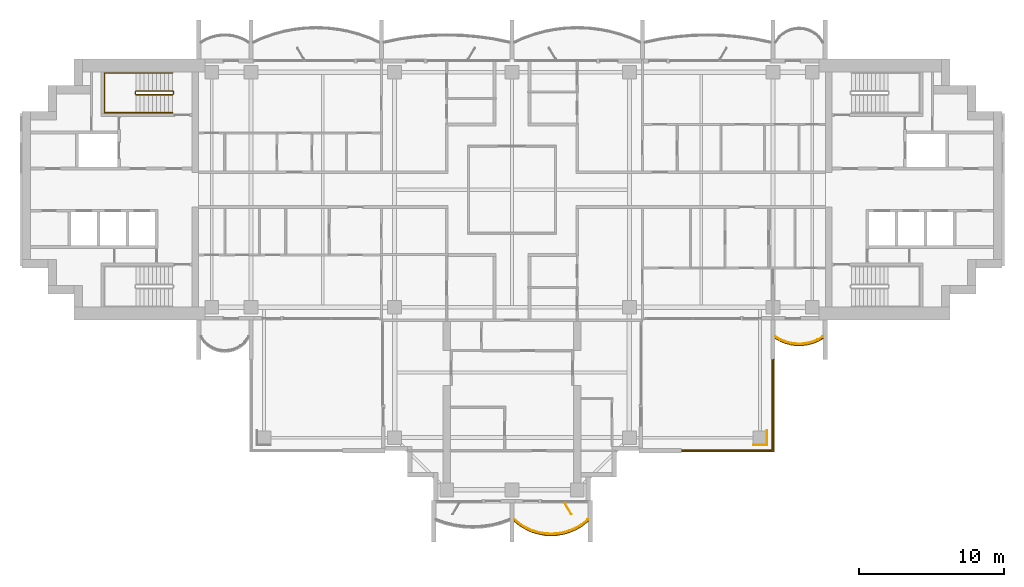
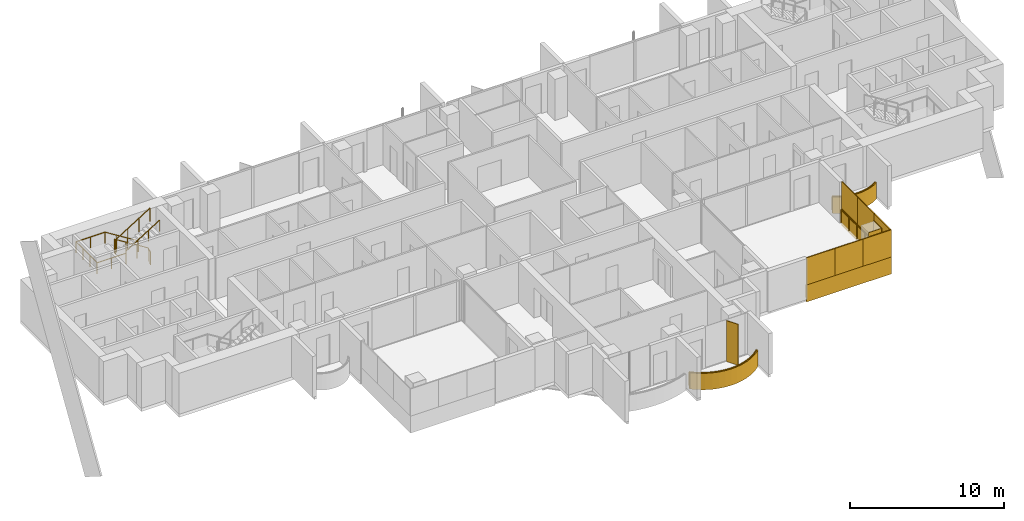
# One storey, part 16 of 18: 11 coverings, 5 railings, 1 shading device.
"""IFC4 building model written with IfcOpenShell, lengths in metres."""

from ifc_helpers import new_model, si_unit, direction, frame, origin, origin_2d, place, context, subcontext, project, spatial, polyline, rectangle, outline, extrude, material, layer, layer_set, type_object, element, save


model = new_model("IFC4")

# Units and contexts
model_context = context("Model", 3, precision=1e-05, world=origin(), true_north=direction((0.0, 1.0)))
body_context = subcontext(model_context, "Body", "Model", "MODEL_VIEW")
ifc_project = project(units=[si_unit("LENGTHUNIT", "METRE"), si_unit("AREAUNIT", "SQUARE_METRE"), si_unit("VOLUMEUNIT", "CUBIC_METRE"), si_unit("PLANEANGLEUNIT", "RADIAN"), si_unit("MASSUNIT", "GRAM", prefix="KILO")], contexts=[model_context])

# Site, building, storey
site_placement = place(None, origin())
site = spatial("IfcSite", under=ifc_project, at=site_placement, CompositionType="ELEMENT")
building_placement = place(site_placement, origin())
building = spatial("IfcBuilding", under=site, at=building_placement, Name="Perihelion Cross Residences", CompositionType="ELEMENT")
storey_placement = place(building_placement, frame((0.0, 0.0, 215.60009765625)))
storey = spatial("IfcBuildingStorey", under=building, at=storey_placement, Name="L54", CompositionType="ELEMENT", Elevation=215.60009765625)

# Coverings
ifc_material_1 = material(Name="Bronze anodised aluminium", Category="aluminium")
ifc_layer_1 = layer(ifc_material_1, 0.070068359375)
ifc_layer_set_1 = layer_set([ifc_layer_1], Name="Balcony fascia 1300")
covering_type_1 = type_object("IfcCoveringType", Name="Balcony fascia 1300", PredefinedType="CLADDING", material=ifc_layer_set_1)
covering_1_placement = place(storey_placement, frame((0.0, 0.0, -0.2001953125)))
element("IfcCovering", 1, at=covering_1_placement, inside=storey, type_object=covering_type_1, Name="Fascia BF1 L54 south tip south bay 2", PredefinedType="CLADDING", context=body_context, shape_type="SweptSolid", body=[
    extrude(outline(polyline([(0.53515625, -23.197509765625), (0.96826171875, -23.455078125), (1.401123046875, -23.642578125), (1.833984375, -23.7705078125), (2.26708984375, -23.845458984375), (2.699951171875, -23.8701171875), (3.133056640625, -23.845458984375), (3.56591796875, -23.7705078125), (3.998779296875, -23.642578125), (4.431884765625, -23.455078125), (4.86474609375, -23.197509765625), (5.25, -22.8896484375), (5.25, -22.800048828125), (4.824951171875, -23.14013671875), (4.39990234375, -23.392578125), (3.97509765625, -23.57666015625), (3.550048828125, -23.702392578125), (3.125, -23.77587890625), (2.699951171875, -23.800048828125), (2.27490234375, -23.77587890625), (1.85009765625, -23.702392578125), (1.425048828125, -23.57666015625), (1.0, -23.392578125), (0.574951171875, -23.14013671875), (0.14990234375, -22.800048828125), (0.14990234375, -22.8896484375), (0.53515625, -23.197509765625)])), origin(), (0.0, 0.0, 1.0), 1.300048828125),
])
covering_2_placement = place(storey_placement, frame((0.0, 0.0, -0.2001953125)))
element("IfcCovering", 2, at=covering_2_placement, inside=storey, type_object=covering_type_1, Name="Fascia BF1 L54 east side south bay 2", PredefinedType="CLADDING", context=body_context, shape_type="SweptSolid", body=[
    extrude(outline(polyline([(18.486328125, -10.4716796875), (18.861572265625, -10.62158203125), (19.237060546875, -10.717529296875), (19.6123046875, -10.76416015625), (19.987548828125, -10.76416015625), (20.363037109375, -10.717529296875), (20.73828125, -10.62158203125), (21.11376953125, -10.4716796875), (21.449951171875, -10.280517578125), (21.449951171875, -10.199951171875), (21.083251953125, -10.40869140625), (20.716552734375, -10.55517578125), (20.35009765625, -10.648681640625), (19.9833984375, -10.6943359375), (19.61669921875, -10.6943359375), (19.25, -10.648681640625), (18.88330078125, -10.55517578125), (18.5166015625, -10.40869140625), (18.14990234375, -10.199951171875), (18.14990234375, -10.280517578125), (18.486328125, -10.4716796875)])), origin(), (0.0, 0.0, 1.0), 1.300048828125),
])

# Railings
ifc_material_2 = material(Name="Bronze anodised aluminium", Category="aluminium")
railing_type_1 = type_object("IfcRailingType", Name="Balcony guard 1100", PredefinedType="GUARDRAIL", material=ifc_material_2)
railing_1_placement = place(storey_placement, frame((0.175048828125, -22.739990234375, 0.0)))
element("IfcRailing", 3, at=railing_1_placement, inside=storey, type_object=railing_type_1, Name="Guard GU1 L54 south tip south bay 2 balcony", PredefinedType="GUARDRAIL", context=body_context, shape_type="SweptSolid", body=[
    extrude(rectangle(XDim=0.048095703125, YDim=0.048095703125, at=origin_2d()), frame((0.0, 0.0, 1.076171875), z_axis=(0.761778647315, -0.647837396648, 0.0), x_axis=(0.647837396648, 0.761778647315, 0.0)), (0.0, 0.0, 1.0), 0.52490234375),
    extrude(rectangle(XDim=0.048095703125, YDim=0.048095703125, at=origin_2d()), frame((0.39990234375, -0.340087890625, 1.076171875), z_axis=(0.859576918062, -0.511006381501, 0.0), x_axis=(0.511006381501, 0.859576918062, 0.0)), (0.0, 0.0, 1.0), 0.494384765625),
    extrude(rectangle(XDim=0.048095703125, YDim=0.048095703125, at=origin_2d()), frame((0.824951171875, -0.5927734375, 1.076171875), z_axis=(0.917831080218, -0.396971167952, 0.0), x_axis=(0.396971167952, 0.917831080218, 0.0)), (0.0, 0.0, 1.0), 0.463134765625),
    extrude(rectangle(XDim=0.048095703125, YDim=0.048095703125, at=origin_2d()), frame((1.25, -0.776611328125, 1.076171875), z_axis=(0.958925815697, -0.283656975924, 0.0), x_axis=(0.283656975924, 0.958925815697, 0.0)), (0.0, 0.0, 1.0), 0.443359375),
    extrude(rectangle(XDim=0.048095703125, YDim=0.048095703125, at=origin_2d()), frame((1.675048828125, -0.90234375, 1.076171875), z_axis=(0.985365142702, -0.170456843651, 0.0), x_axis=(0.170456843651, 0.985365142702, 0.0)), (0.0, 0.0, 1.0), 0.43115234375),
    extrude(rectangle(XDim=0.048095703125, YDim=0.048095703125, at=origin_2d()), frame((2.099853515625, -0.975830078125, 1.076171875), z_axis=(0.998387160354, -0.056772159032, 0.0), x_axis=(0.056772159032, 0.998387160354, 0.0)), (0.0, 0.0, 1.0), 0.42578125),
    extrude(rectangle(XDim=0.048095703125, YDim=0.048095703125, at=origin_2d()), frame((2.52490234375, -1.0, 1.076171875), z_axis=(0.998387160354, 0.056772159032, 0.0), x_axis=(-0.056772159032, 0.998387160354, 0.0)), (0.0, 0.0, 1.0), 0.42578125),
    extrude(rectangle(XDim=0.048095703125, YDim=0.048095703125, at=origin_2d()), frame((2.949951171875, -0.975830078125, 1.076171875), z_axis=(0.985381583142, 0.17036177859, 0.0), x_axis=(-0.17036177859, 0.985381583142, 0.0)), (0.0, 0.0, 1.0), 0.431396484375),
    extrude(rectangle(XDim=0.048095703125, YDim=0.048095703125, at=origin_2d()), frame((3.375, -0.90234375, 1.076171875), z_axis=(0.958925815697, 0.283656975924, 0.0), x_axis=(-0.283656975924, 0.958925815697, 0.0)), (0.0, 0.0, 1.0), 0.443359375),
    extrude(rectangle(XDim=0.048095703125, YDim=0.048095703125, at=origin_2d()), frame((3.800048828125, -0.776611328125, 1.076171875), z_axis=(0.917747942671, 0.397163333811, 0.0), x_axis=(-0.397163333811, 0.917747942671, 0.0)), (0.0, 0.0, 1.0), 0.462890625),
    extrude(rectangle(XDim=0.048095703125, YDim=0.048095703125, at=origin_2d()), frame((4.224853515625, -0.5927734375, 1.076171875), z_axis=(0.859576918062, 0.511006381501, 0.0), x_axis=(-0.511006381501, 0.859576918062, 0.0)), (0.0, 0.0, 1.0), 0.494384765625),
    extrude(rectangle(XDim=0.048095703125, YDim=0.048095703125, at=origin_2d()), frame((4.64990234375, -0.340087890625, 1.076171875), z_axis=(0.761973728849, 0.647607934281, 0.0), x_axis=(-0.647607934281, 0.761973728849, 0.0)), (0.0, 0.0, 1.0), 0.525146484375),
    extrude(rectangle(XDim=0.0419921875, YDim=0.0419921875, at=origin_2d()), origin(), (0.0, 0.0, 1.0), 1.052001953125),
    extrude(rectangle(XDim=0.0419921875, YDim=0.0419921875, at=origin_2d()), frame((0.39990234375, -0.340087890625, 0.0)), (0.0, 0.0, 1.0), 1.052001953125),
    extrude(rectangle(XDim=0.0419921875, YDim=0.0419921875, at=origin_2d()), frame((0.824951171875, -0.5927734375, 0.0)), (0.0, 0.0, 1.0), 1.052001953125),
    extrude(rectangle(XDim=0.0419921875, YDim=0.0419921875, at=origin_2d()), frame((1.25, -0.776611328125, 0.0)), (0.0, 0.0, 1.0), 1.052001953125),
    extrude(rectangle(XDim=0.0419921875, YDim=0.0419921875, at=origin_2d()), frame((1.675048828125, -0.90234375, 0.0)), (0.0, 0.0, 1.0), 1.052001953125),
    extrude(rectangle(XDim=0.0419921875, YDim=0.0419921875, at=origin_2d()), frame((2.099853515625, -0.975830078125, 0.0)), (0.0, 0.0, 1.0), 1.052001953125),
    extrude(rectangle(XDim=0.0419921875, YDim=0.0419921875, at=origin_2d()), frame((2.52490234375, -1.0, 0.0)), (0.0, 0.0, 1.0), 1.052001953125),
    extrude(rectangle(XDim=0.0419921875, YDim=0.0419921875, at=origin_2d()), frame((2.949951171875, -0.975830078125, 0.0)), (0.0, 0.0, 1.0), 1.052001953125),
    extrude(rectangle(XDim=0.0419921875, YDim=0.0419921875, at=origin_2d()), frame((3.375, -0.90234375, 0.0)), (0.0, 0.0, 1.0), 1.052001953125),
    extrude(rectangle(XDim=0.0419921875, YDim=0.0419921875, at=origin_2d()), frame((3.800048828125, -0.776611328125, 0.0)), (0.0, 0.0, 1.0), 1.052001953125),
    extrude(rectangle(XDim=0.0419921875, YDim=0.0419921875, at=origin_2d()), frame((4.224853515625, -0.5927734375, 0.0)), (0.0, 0.0, 1.0), 1.052001953125),
    extrude(rectangle(XDim=0.0419921875, YDim=0.0419921875, at=origin_2d()), frame((4.64990234375, -0.340087890625, 0.0)), (0.0, 0.0, 1.0), 1.052001953125),
    extrude(rectangle(XDim=0.0419921875, YDim=0.0419921875, at=origin_2d()), frame((5.050048828125, 0.0, 0.0)), (0.0, 0.0, 1.0), 1.052001953125),
])
railing_2_placement = place(storey_placement, frame((18.175048828125, -10.139892578125, 0.0)))
element("IfcRailing", 4, at=railing_2_placement, inside=storey, type_object=railing_type_1, Name="Guard GU1 L54 east side south bay 2 balcony", PredefinedType="GUARDRAIL", context=body_context, shape_type="SweptSolid", body=[
    extrude(rectangle(XDim=0.048095703125, YDim=0.048095703125, at=origin_2d()), frame((0.0, 0.0, 1.076171875), z_axis=(0.853266756821, -0.52147467983, 0.0), x_axis=(0.52147467983, 0.853266756821, 0.0)), (0.0, 0.0, 1.0), 0.400390625),
    extrude(rectangle(XDim=0.048095703125, YDim=0.048095703125, at=origin_2d()), frame((0.341552734375, -0.208740234375, 1.076171875), z_axis=(0.928647151248, -0.37096424151, 0.0), x_axis=(0.37096424151, 0.928647151248, 0.0)), (0.0, 0.0, 1.0), 0.394775390625),
    extrude(rectangle(XDim=0.048095703125, YDim=0.048095703125, at=origin_2d()), frame((0.708251953125, -0.355224609375, 1.076171875), z_axis=(0.968993337782, -0.247086849781, 0.0), x_axis=(0.247086849781, 0.968993337782, 0.0)), (0.0, 0.0, 1.0), 0.37841796875),
    extrude(rectangle(XDim=0.048095703125, YDim=0.048095703125, at=origin_2d()), frame((1.074951171875, -0.44873046875, 1.076171875), z_axis=(0.992338742457, -0.123546834114, 0.0), x_axis=(0.123546834114, 0.992338742457, 0.0)), (0.0, 0.0, 1.0), 0.36962890625),
    extrude(rectangle(XDim=0.048095703125, YDim=0.048095703125, at=origin_2d()), frame((1.441650390625, -0.494384765625, 1.076171875), z_axis=(1.0, 0.0, 0.0), x_axis=(0.0, 1.0, 0.0)), (0.0, 0.0, 1.0), 0.36669921875),
    extrude(rectangle(XDim=0.048095703125, YDim=0.048095703125, at=origin_2d()), frame((1.808349609375, -0.494384765625, 1.076171875), z_axis=(0.992338742457, 0.123546834114, 0.0), x_axis=(-0.123546834114, 0.992338742457, 0.0)), (0.0, 0.0, 1.0), 0.36962890625),
    extrude(rectangle(XDim=0.048095703125, YDim=0.048095703125, at=origin_2d()), frame((2.175048828125, -0.44873046875, 1.076171875), z_axis=(0.968953914071, 0.247241405123, 0.0), x_axis=(-0.247241405123, 0.968953914071, 0.0)), (0.0, 0.0, 1.0), 0.378173828125),
    extrude(rectangle(XDim=0.048095703125, YDim=0.048095703125, at=origin_2d()), frame((2.54150390625, -0.355224609375, 1.076171875), z_axis=(0.928647151248, 0.37096424151, 0.0), x_axis=(-0.37096424151, 0.928647151248, 0.0)), (0.0, 0.0, 1.0), 0.394775390625),
    extrude(rectangle(XDim=0.048095703125, YDim=0.048095703125, at=origin_2d()), frame((2.908203125, -0.208740234375, 1.076171875), z_axis=(0.853432484338, 0.521203410078, 0.0), x_axis=(-0.521203410078, 0.853432484338, 0.0)), (0.0, 0.0, 1.0), 0.400390625),
    extrude(rectangle(XDim=0.0419921875, YDim=0.0419921875, at=origin_2d()), origin(), (0.0, 0.0, 1.0), 1.052001953125),
    extrude(rectangle(XDim=0.0419921875, YDim=0.0419921875, at=origin_2d()), frame((0.341552734375, -0.208740234375, 0.0)), (0.0, 0.0, 1.0), 1.052001953125),
    extrude(rectangle(XDim=0.0419921875, YDim=0.0419921875, at=origin_2d()), frame((0.708251953125, -0.355224609375, 0.0)), (0.0, 0.0, 1.0), 1.052001953125),
    extrude(rectangle(XDim=0.0419921875, YDim=0.0419921875, at=origin_2d()), frame((1.074951171875, -0.44873046875, 0.0)), (0.0, 0.0, 1.0), 1.052001953125),
    extrude(rectangle(XDim=0.0419921875, YDim=0.0419921875, at=origin_2d()), frame((1.441650390625, -0.494384765625, 0.0)), (0.0, 0.0, 1.0), 1.052001953125),
    extrude(rectangle(XDim=0.0419921875, YDim=0.0419921875, at=origin_2d()), frame((1.808349609375, -0.494384765625, 0.0)), (0.0, 0.0, 1.0), 1.052001953125),
    extrude(rectangle(XDim=0.0419921875, YDim=0.0419921875, at=origin_2d()), frame((2.175048828125, -0.44873046875, 0.0)), (0.0, 0.0, 1.0), 1.052001953125),
    extrude(rectangle(XDim=0.0419921875, YDim=0.0419921875, at=origin_2d()), frame((2.54150390625, -0.355224609375, 0.0)), (0.0, 0.0, 1.0), 1.052001953125),
    extrude(rectangle(XDim=0.0419921875, YDim=0.0419921875, at=origin_2d()), frame((2.908203125, -0.208740234375, 0.0)), (0.0, 0.0, 1.0), 1.052001953125),
    extrude(rectangle(XDim=0.0419921875, YDim=0.0419921875, at=origin_2d()), frame((3.25, 0.0, 0.0)), (0.0, 0.0, 1.0), 1.052001953125),
])
railing_3_placement = place(storey_placement, frame((17.93994140625, -11.739990234375, 0.0)))
element("IfcRailing", 5, at=railing_3_placement, inside=storey, type_object=railing_type_1, Name="Guard GU1 L54 pocket south-east 1", PredefinedType="GUARDRAIL", context=body_context, shape_type="SweptSolid", body=[
    extrude(rectangle(XDim=0.048095703125, YDim=0.048095703125, at=origin_2d()), frame((0.0, 0.0, 1.076171875), z_axis=(0.0, -1.0, 0.0), x_axis=(1.0, 0.0, 0.0)), (0.0, 0.0, 1.0), 6.199951171875),
    extrude(rectangle(XDim=0.048095703125, YDim=0.048095703125, at=origin_2d()), frame((0.0, -6.199951171875, 1.076171875), z_axis=(-1.0, 0.0, 0.0), x_axis=(0.0, -1.0, 0.0)), (0.0, 0.0, 1.0), 6.199951171875),
    extrude(rectangle(XDim=0.0419921875, YDim=0.0419921875, at=origin_2d()), origin(), (0.0, 0.0, 1.0), 1.052001953125),
    extrude(rectangle(XDim=0.0419921875, YDim=0.0419921875, at=origin_2d()), frame((0.0, -1.033203125, 0.0)), (0.0, 0.0, 1.0), 1.052001953125),
    extrude(rectangle(XDim=0.0419921875, YDim=0.0419921875, at=origin_2d()), frame((0.0, -2.066650390625, 0.0)), (0.0, 0.0, 1.0), 1.052001953125),
    extrude(rectangle(XDim=0.0419921875, YDim=0.0419921875, at=origin_2d()), frame((0.0, -3.10009765625, 0.0)), (0.0, 0.0, 1.0), 1.052001953125),
    extrude(rectangle(XDim=0.0419921875, YDim=0.0419921875, at=origin_2d()), frame((0.0, -4.13330078125, 0.0)), (0.0, 0.0, 1.0), 1.052001953125),
    extrude(rectangle(XDim=0.0419921875, YDim=0.0419921875, at=origin_2d()), frame((0.0, -5.16650390625, 0.0)), (0.0, 0.0, 1.0), 1.052001953125),
    extrude(rectangle(XDim=0.0419921875, YDim=0.0419921875, at=origin_2d()), frame((0.0, -6.199951171875, 0.0)), (0.0, 0.0, 1.0), 1.052001953125),
    extrude(rectangle(XDim=0.0419921875, YDim=0.0419921875, at=origin_2d()), frame((-1.033203125, -6.199951171875, 0.0)), (0.0, 0.0, 1.0), 1.052001953125),
    extrude(rectangle(XDim=0.0419921875, YDim=0.0419921875, at=origin_2d()), frame((-2.066650390625, -6.199951171875, 0.0)), (0.0, 0.0, 1.0), 1.052001953125),
    extrude(rectangle(XDim=0.0419921875, YDim=0.0419921875, at=origin_2d()), frame((-3.10009765625, -6.199951171875, 0.0)), (0.0, 0.0, 1.0), 1.052001953125),
    extrude(rectangle(XDim=0.0419921875, YDim=0.0419921875, at=origin_2d()), frame((-4.13330078125, -6.199951171875, 0.0)), (0.0, 0.0, 1.0), 1.052001953125),
    extrude(rectangle(XDim=0.0419921875, YDim=0.0419921875, at=origin_2d()), frame((-5.16650390625, -6.199951171875, 0.0)), (0.0, 0.0, 1.0), 1.052001953125),
    extrude(rectangle(XDim=0.0419921875, YDim=0.0419921875, at=origin_2d()), frame((-6.199951171875, -6.199951171875, 0.0)), (0.0, 0.0, 1.0), 1.052001953125),
])

# Coverings
ifc_material_3 = material(Name="Bronze anodised aluminium", Category="aluminium")
ifc_layer_2 = layer(ifc_material_3, 0.0400390625)
ifc_layer_set_2 = layer_set([ifc_layer_2], Name="Bronze column casing 40")
covering_type_2 = type_object("IfcCoveringType", Name="Bronze column casing 40", PredefinedType="CLADDING", material=ifc_layer_set_2)
covering_3_placement = place(storey_placement, frame((17.594970703125, -17.10009765625, -0.25), z_axis=(0.0, 0.0, 1.0), x_axis=(1.0, 0.0, 0.0)))
element("IfcCovering", 6, at=covering_3_placement, inside=storey, type_object=covering_type_2, Name="Cladding CC1 L54 casing east-west no. 2", PredefinedType="CLADDING", context=body_context, shape_type="SweptSolid", body=[
    extrude(rectangle(XDim=0.0400390625, YDim=1.030029296875, at=origin_2d()), origin(), (0.0, 0.0, 1.0), 3.5),
])
covering_4_placement = place(storey_placement, frame((17.10009765625, -17.594970703125, -0.25), z_axis=(0.0, 0.0, 1.0), x_axis=(1.0, 0.0, 0.0)))
element("IfcCovering", 7, at=covering_4_placement, inside=storey, type_object=covering_type_2, Name="Cladding CC1 L54 casing north-south no. 2", PredefinedType="CLADDING", context=body_context, shape_type="SweptSolid", body=[
    extrude(rectangle(XDim=0.949951171875, YDim=0.0400390625, at=origin_2d()), origin(), (0.0, 0.0, 1.0), 3.5),
])

# Shading device
ifc_material_4 = material(Name="Bronze anodised aluminium", Category="aluminium")
ifc_layer_3 = layer(ifc_material_4, 0.050048828125)
ifc_layer_set_3 = layer_set([ifc_layer_3], Name="Bronze fin 900")
shading_device_type = type_object("IfcShadingDeviceType", Name="Bronze fin 900", PredefinedType="USERDEFINED", material=ifc_layer_set_3)
shading_device_placement = place(storey_placement, frame((3.862548828125, -21.98974609375, 0.0), z_axis=(0.0, 0.0, 1.0), x_axis=(0.5, -0.866025403784, 0.0)))
element("IfcShadingDevice", 8, at=shading_device_placement, inside=storey, type_object=shading_device_type, Name="Fin FN1 L54 south tip south bay 2", ObjectType="FIN", PredefinedType="USERDEFINED", context=body_context, shape_type="SweptSolid", body=[
    extrude(rectangle(XDim=0.89990234375, YDim=0.050048828125, at=origin_2d()), origin(), (0.0, 0.0, 1.0), 3.25),
])

# Coverings
ifc_material_5 = material(Name="Bronze anodised aluminium", Category="aluminium")
ifc_layer_4 = layer(ifc_material_5, 0.070068359375)
ifc_layer_set_4 = layer_set([ifc_layer_4], Name="Pocket fascia 1350")
covering_type_3 = type_object("IfcCoveringType", Name="Pocket fascia 1350", PredefinedType="CLADDING", material=ifc_layer_set_4)
covering_5_placement = place(storey_placement, frame((0.0, 0.0, -0.25)))
element("IfcCovering", 9, at=covering_5_placement, inside=storey, type_object=covering_type_3, Name="Fascia BF2 L54 pocket south-east 3", PredefinedType="CLADDING", context=body_context, shape_type="SweptSolid", body=[
    extrude(outline(polyline([(18.070068359375, -18.070068359375), (18.070068359375, -11.699951171875), (18.0, -11.699951171875), (18.0, -18.0), (11.699951171875, -18.0), (11.699951171875, -18.070068359375), (18.070068359375, -18.070068359375)])), origin(), (0.0, 0.0, 1.0), 1.349853515625),
])
ifc_material_6 = material(Name="Bronze perforated aluminium", Category="aluminium")
ifc_layer_5 = layer(ifc_material_6, 0.070068359375)
ifc_layer_set_5 = layer_set([ifc_layer_5], Name="Pocket solar screen, bronze perforated")
covering_type_4 = type_object("IfcCoveringType", Name="Pocket solar screen, bronze perforated", PredefinedType="CLADDING", material=ifc_layer_set_5)
covering_6_placement = place(storey_placement, frame((0.0, 0.0, 1.099853515625)))
element("IfcCovering", 10, at=covering_6_placement, inside=storey, type_object=covering_type_4, Name="Solar screen PS1 L54 pocket south-east no. 1", PredefinedType="CLADDING", context=body_context, shape_type="SweptSolid", body=[
    extrude(outline(polyline([(18.070068359375, -18.0), (18.070068359375, -15.89990234375), (18.0, -15.89990234375), (18.0, -18.0), (18.070068359375, -18.0)])), origin(), (0.0, 0.0, 1.0), 2.150146484375),
])
covering_7_placement = place(storey_placement, frame((0.0, 0.0, 1.099853515625)))
element("IfcCovering", 11, at=covering_7_placement, inside=storey, type_object=covering_type_4, Name="Solar screen PS1 L54 pocket south-east no. 2", PredefinedType="CLADDING", context=body_context, shape_type="SweptSolid", body=[
    extrude(outline(polyline([(18.070068359375, -15.89990234375), (18.070068359375, -13.800048828125), (18.0, -13.800048828125), (18.0, -15.89990234375), (18.070068359375, -15.89990234375)])), origin(), (0.0, 0.0, 1.0), 2.150146484375),
])
covering_8_placement = place(storey_placement, frame((0.0, 0.0, 1.099853515625)))
element("IfcCovering", 12, at=covering_8_placement, inside=storey, type_object=covering_type_4, Name="Solar screen PS1 L54 pocket south-east no. 3", PredefinedType="CLADDING", context=body_context, shape_type="SweptSolid", body=[
    extrude(outline(polyline([(18.070068359375, -13.800048828125), (18.070068359375, -11.699951171875), (18.0, -11.699951171875), (18.0, -13.800048828125), (18.070068359375, -13.800048828125)])), origin(), (0.0, 0.0, 1.0), 2.150146484375),
])
covering_9_placement = place(storey_placement, frame((0.0, 0.0, 1.099853515625)))
element("IfcCovering", 13, at=covering_9_placement, inside=storey, type_object=covering_type_4, Name="Solar screen PS1 L54 pocket south-east no. 4", PredefinedType="CLADDING", context=body_context, shape_type="SweptSolid", body=[
    extrude(outline(polyline([(13.8232421875, -18.070068359375), (13.8232421875, -18.0), (11.699951171875, -18.0), (11.699951171875, -18.070068359375), (13.8232421875, -18.070068359375)])), origin(), (0.0, 0.0, 1.0), 2.150146484375),
])
covering_10_placement = place(storey_placement, frame((0.0, 0.0, 1.099853515625)))
element("IfcCovering", 14, at=covering_10_placement, inside=storey, type_object=covering_type_4, Name="Solar screen PS1 L54 pocket south-east no. 5", PredefinedType="CLADDING", context=body_context, shape_type="SweptSolid", body=[
    extrude(outline(polyline([(15.94677734375, -18.070068359375), (15.94677734375, -18.0), (13.8232421875, -18.0), (13.8232421875, -18.070068359375), (15.94677734375, -18.070068359375)])), origin(), (0.0, 0.0, 1.0), 2.150146484375),
])
covering_11_placement = place(storey_placement, frame((0.0, 0.0, 1.099853515625)))
element("IfcCovering", 15, at=covering_11_placement, inside=storey, type_object=covering_type_4, Name="Solar screen PS1 L54 pocket south-east no. 6", PredefinedType="CLADDING", context=body_context, shape_type="SweptSolid", body=[
    extrude(outline(polyline([(18.070068359375, -18.070068359375), (18.070068359375, -18.0), (15.94677734375, -18.0), (15.94677734375, -18.070068359375), (18.070068359375, -18.070068359375)])), origin(), (0.0, 0.0, 1.0), 2.150146484375),
])

# Railings
ifc_material_7 = material(Name="Stainless steel", Category="steel")
railing_type_2 = type_object("IfcRailingType", Name="Stair guard 1100", PredefinedType="GUARDRAIL", material=ifc_material_7)
railing_4_placement = place(storey_placement, frame((-23.35009765625, 6.60009765625, 0.0)))
element("IfcRailing", 16, at=railing_4_placement, inside=storey, type_object=railing_type_2, Name="L54 ST-W1 stair guard 1", PredefinedType="GUARDRAIL", context=body_context, shape_type="SweptSolid", body=[
    extrude(rectangle(XDim=0.048095703125, YDim=0.048095703125, at=origin_2d()), frame((0.0, 0.0, 1.076171875), z_axis=(0.0, 1.0, 0.0), x_axis=(-1.0, 0.0, 0.0)), (0.0, 0.0, 1.0), 0.14990234375),
    extrude(rectangle(XDim=0.048095703125, YDim=0.048095703125, at=origin_2d()), frame((0.0, 0.14990234375, 1.076171875), z_axis=(-0.264179342666, 0.265474339444, 0.927217692888), x_axis=(-0.708833529934, -0.705375805398, 0.0)), (0.0, 0.0, 1.0), 0.1884765625),
    extrude(rectangle(XDim=0.048095703125, YDim=0.048095703125, at=origin_2d()), frame((-0.0498046875, 0.199951171875, 1.2509765625), z_axis=(-0.847970611238, 0.0, 0.530043245855), x_axis=(0.0, -1.0, 0.0)), (0.0, 0.0, 1.0), 2.971923828125),
    extrude(rectangle(XDim=0.048095703125, YDim=0.048095703125, at=origin_2d()), frame((-2.56982421875, 0.199951171875, 2.826171875), z_axis=(-0.707106781187, -0.707106781187, 0.0), x_axis=(0.707106781187, -0.707106781187, 0.0)), (0.0, 0.0, 1.0), 0.07080078125),
    extrude(rectangle(XDim=0.048095703125, YDim=0.048095703125, at=origin_2d()), frame((-2.619873046875, 0.14990234375, 2.826171875), z_axis=(0.0, -1.0, 0.0), x_axis=(1.0, 0.0, 0.0)), (0.0, 0.0, 1.0), 0.14990234375),
    extrude(rectangle(XDim=0.048095703125, YDim=0.048095703125, at=origin_2d()), frame((-2.619873046875, 0.0, 2.826171875), z_axis=(0.265383341853, -0.265383341853, 0.926899867156), x_axis=(0.707106781187, 0.707106781187, 0.0)), (0.0, 0.0, 1.0), 0.1884765625),
    extrude(rectangle(XDim=0.048095703125, YDim=0.048095703125, at=origin_2d()), frame((-2.56982421875, -0.050048828125, 3.0009765625), z_axis=(0.847970611238, 0.0, 0.530043245855), x_axis=(0.0, 1.0, 0.0)), (0.0, 0.0, 1.0), 2.971923828125),
    extrude(rectangle(XDim=0.0419921875, YDim=0.0419921875, at=origin_2d()), origin(), (0.0, 0.0, 1.0), 1.052001953125),
    extrude(rectangle(XDim=0.0419921875, YDim=0.0419921875, at=origin_2d()), frame((0.0, 0.14990234375, 0.0)), (0.0, 0.0, 1.0), 1.052001953125),
    extrude(rectangle(XDim=0.0419921875, YDim=0.0419921875, at=origin_2d()), frame((-0.0498046875, 0.199951171875, 0.1748046875)), (0.0, 0.0, 1.0), 1.052001953125),
    extrude(rectangle(XDim=0.0419921875, YDim=0.0419921875, at=origin_2d()), frame((-0.889892578125, 0.199951171875, 0.699951171875)), (0.0, 0.0, 1.0), 1.052001953125),
    extrude(rectangle(XDim=0.0419921875, YDim=0.0419921875, at=origin_2d()), frame((-1.729736328125, 0.199951171875, 1.224853515625)), (0.0, 0.0, 1.0), 1.052001953125),
    extrude(rectangle(XDim=0.0419921875, YDim=0.0419921875, at=origin_2d()), frame((-2.56982421875, 0.199951171875, 1.75)), (0.0, 0.0, 1.0), 1.052001953125),
    extrude(rectangle(XDim=0.0419921875, YDim=0.0419921875, at=origin_2d()), frame((-2.619873046875, 0.14990234375, 1.75)), (0.0, 0.0, 1.0), 1.052001953125),
    extrude(rectangle(XDim=0.0419921875, YDim=0.0419921875, at=origin_2d()), frame((-2.619873046875, 0.0, 1.75)), (0.0, 0.0, 1.0), 1.052001953125),
    extrude(rectangle(XDim=0.0419921875, YDim=0.0419921875, at=origin_2d()), frame((-2.56982421875, -0.050048828125, 1.9248046875)), (0.0, 0.0, 1.0), 1.052001953125),
    extrude(rectangle(XDim=0.0419921875, YDim=0.0419921875, at=origin_2d()), frame((-1.729736328125, -0.050048828125, 2.449951171875)), (0.0, 0.0, 1.0), 1.052001953125),
    extrude(rectangle(XDim=0.0419921875, YDim=0.0419921875, at=origin_2d()), frame((-0.889892578125, -0.050048828125, 2.974853515625)), (0.0, 0.0, 1.0), 1.052001953125),
    extrude(rectangle(XDim=0.0419921875, YDim=0.0419921875, at=origin_2d()), frame((-0.0498046875, -0.050048828125, 3.5)), (0.0, 0.0, 1.0), 1.052001953125),
])
ifc_material_8 = material(Name="Stainless steel", Category="steel")
railing_type_3 = type_object("IfcRailingType", Name="Stair handrail 900", PredefinedType="HANDRAIL", material=ifc_material_8)
railing_5_placement = place(storey_placement, frame((-23.39990234375, 8.050048828125, 0.1748046875)))
element("IfcRailing", 17, at=railing_5_placement, inside=storey, type_object=railing_type_3, Name="L54 ST-W1 stair handrail 1", PredefinedType="HANDRAIL", context=body_context, shape_type="SweptSolid", body=[
    extrude(rectangle(XDim=0.048095703125, YDim=0.048095703125, at=origin_2d()), frame((0.0, 0.0, 0.8759765625), z_axis=(-0.847970611238, 0.0, 0.530043245855), x_axis=(0.0, -1.0, 0.0)), (0.0, 0.0, 1.0), 2.971923828125),
    extrude(rectangle(XDim=0.048095703125, YDim=0.048095703125, at=origin_2d()), frame((-2.52001953125, 0.0, 2.451171875), z_axis=(-1.0, 0.0, 0.0), x_axis=(0.0, -1.0, 0.0)), (0.0, 0.0, 1.0), 2.18017578125),
    extrude(rectangle(XDim=0.048095703125, YDim=0.048095703125, at=origin_2d()), frame((-4.7001953125, 0.0, 2.451171875), z_axis=(0.0, -1.0, 0.0), x_axis=(1.0, 0.0, 0.0)), (0.0, 0.0, 1.0), 2.75),
    extrude(rectangle(XDim=0.048095703125, YDim=0.048095703125, at=origin_2d()), frame((-4.7001953125, -2.75, 2.451171875), z_axis=(1.0, 0.0, 0.0), x_axis=(0.0, 1.0, 0.0)), (0.0, 0.0, 1.0), 2.18017578125),
    extrude(rectangle(XDim=0.048095703125, YDim=0.048095703125, at=origin_2d()), frame((-2.52001953125, -2.75, 2.451171875), z_axis=(0.0, 0.0, 1.0), x_axis=(1.0, 0.0, 0.0)), (0.0, 0.0, 1.0), 0.1748046875),
    extrude(rectangle(XDim=0.048095703125, YDim=0.048095703125, at=origin_2d()), frame((-2.52001953125, -2.75, 2.6259765625), z_axis=(0.847970611238, 0.0, 0.530043245855), x_axis=(0.0, 1.0, 0.0)), (0.0, 0.0, 1.0), 2.971923828125),
    extrude(rectangle(XDim=0.0419921875, YDim=0.0419921875, at=origin_2d()), origin(), (0.0, 0.0, 1.0), 0.851806640625),
    extrude(rectangle(XDim=0.0419921875, YDim=0.0419921875, at=origin_2d()), frame((-0.840087890625, 0.0, 0.525146484375)), (0.0, 0.0, 1.0), 0.851806640625),
    extrude(rectangle(XDim=0.0419921875, YDim=0.0419921875, at=origin_2d()), frame((-1.679931640625, 0.0, 1.050048828125)), (0.0, 0.0, 1.0), 0.851806640625),
    extrude(rectangle(XDim=0.0419921875, YDim=0.0419921875, at=origin_2d()), frame((-2.52001953125, 0.0, 1.5751953125)), (0.0, 0.0, 1.0), 0.851806640625),
    extrude(rectangle(XDim=0.0419921875, YDim=0.0419921875, at=origin_2d()), frame((-3.610107421875, 0.0, 1.5751953125)), (0.0, 0.0, 1.0), 0.851806640625),
    extrude(rectangle(XDim=0.0419921875, YDim=0.0419921875, at=origin_2d()), frame((-4.7001953125, 0.0, 1.5751953125)), (0.0, 0.0, 1.0), 0.851806640625),
    extrude(rectangle(XDim=0.0419921875, YDim=0.0419921875, at=origin_2d()), frame((-4.7001953125, -0.916748046875, 1.5751953125)), (0.0, 0.0, 1.0), 0.851806640625),
    extrude(rectangle(XDim=0.0419921875, YDim=0.0419921875, at=origin_2d()), frame((-4.7001953125, -1.833251953125, 1.5751953125)), (0.0, 0.0, 1.0), 0.851806640625),
    extrude(rectangle(XDim=0.0419921875, YDim=0.0419921875, at=origin_2d()), frame((-4.7001953125, -2.75, 1.5751953125)), (0.0, 0.0, 1.0), 0.851806640625),
    extrude(rectangle(XDim=0.0419921875, YDim=0.0419921875, at=origin_2d()), frame((-3.610107421875, -2.75, 1.5751953125)), (0.0, 0.0, 1.0), 0.851806640625),
    extrude(rectangle(XDim=0.0419921875, YDim=0.0419921875, at=origin_2d()), frame((-2.52001953125, -2.75, 1.5751953125)), (0.0, 0.0, 1.0), 0.851806640625),
    extrude(rectangle(XDim=0.0419921875, YDim=0.0419921875, at=origin_2d()), frame((-2.52001953125, -2.75, 1.75)), (0.0, 0.0, 1.0), 0.851806640625),
    extrude(rectangle(XDim=0.0419921875, YDim=0.0419921875, at=origin_2d()), frame((-1.679931640625, -2.75, 2.275146484375)), (0.0, 0.0, 1.0), 0.851806640625),
    extrude(rectangle(XDim=0.0419921875, YDim=0.0419921875, at=origin_2d()), frame((-0.840087890625, -2.75, 2.800048828125)), (0.0, 0.0, 1.0), 0.851806640625),
    extrude(rectangle(XDim=0.0419921875, YDim=0.0419921875, at=origin_2d()), frame((0.0, -2.75, 3.3251953125)), (0.0, 0.0, 1.0), 0.851806640625),
])

save(model, "model.ifc")
